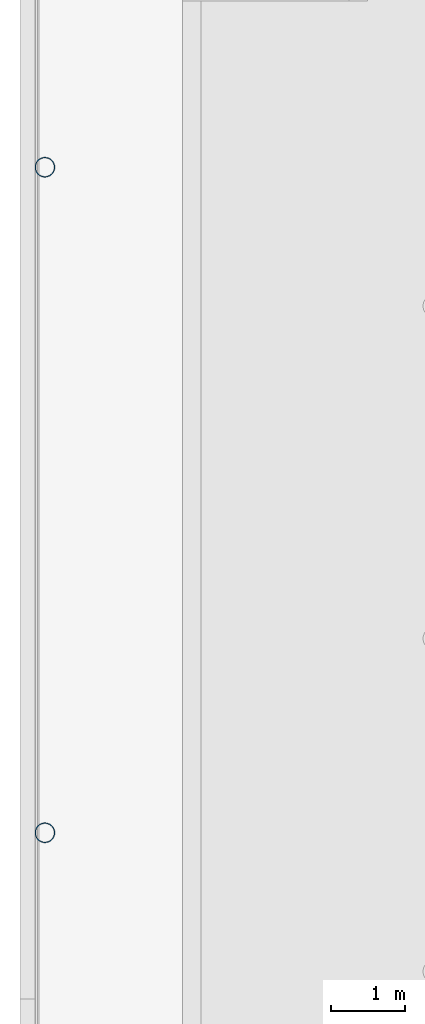
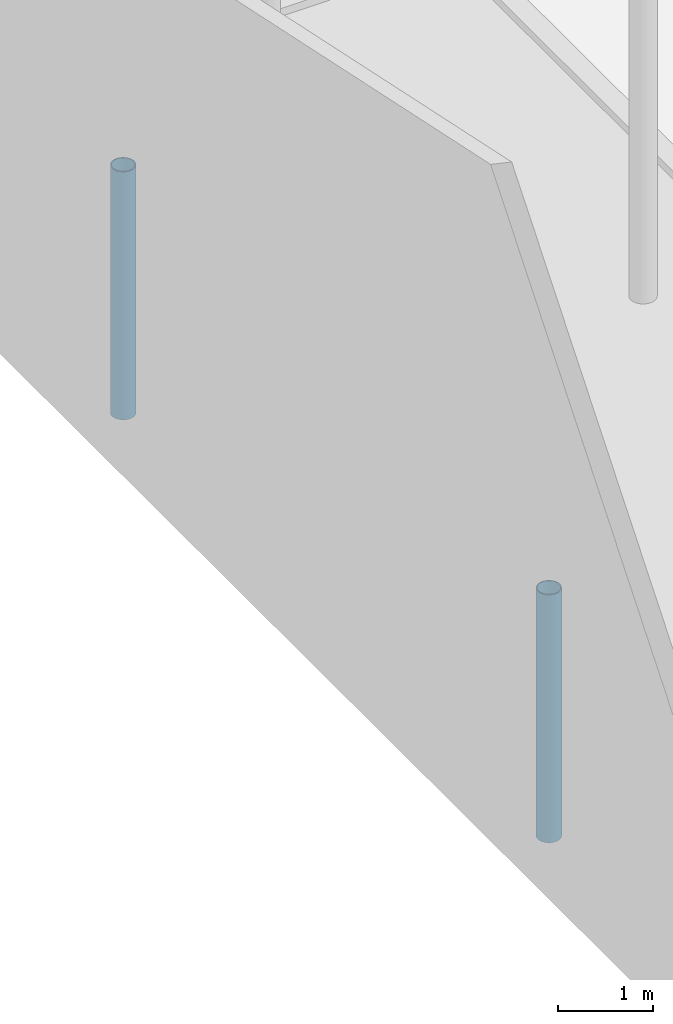
# One storey, part 2 of 9: 2 columns.
"""IFC4 building model written with IfcOpenShell, lengths in metres."""

from ifc_helpers import new_model, si_unit, direction, frame, origin, origin_2d, place, context, subcontext, project, spatial, hollow_circle, extrude, material, material_profile, profile_set, type_object, element, save


model = new_model("IFC4")

# Units and contexts
model_context = context("Model", 3, precision=1e-05, world=origin(), true_north=direction((0.0, 1.0)))
body_context = subcontext(model_context, "Body", "Model", "MODEL_VIEW")
ifc_project = project(units=[si_unit("LENGTHUNIT", "METRE"), si_unit("AREAUNIT", "SQUARE_METRE"), si_unit("VOLUMEUNIT", "CUBIC_METRE"), si_unit("PLANEANGLEUNIT", "RADIAN"), si_unit("MASSUNIT", "GRAM", prefix="KILO")], contexts=[model_context])

# Site, building, storey
site_placement = place(None, origin())
site = spatial("IfcSite", under=ifc_project, at=site_placement, CompositionType="ELEMENT")
building_placement = place(site_placement, origin())
building = spatial("IfcBuilding", under=site, at=building_placement, Name="Orbiselva Terraces", CompositionType="ELEMENT")
storey_placement = place(building_placement, frame((0.0, 0.0, 303.4)))
storey = spatial("IfcBuildingStorey", under=building, at=storey_placement, Name="L75", CompositionType="ELEMENT", Elevation=303.4)

# Columns
ifc_material = material(Name="Steel ASTM A500 Grade C", Category="steel")
ifc_material_profile = material_profile(ifc_material, hollow_circle(Radius=0.13655, WallThickness=0.0127, at=origin_2d()), Name="HSS273.1X12.7")
ifc_profile_set = profile_set([ifc_material_profile], Name="Steel ASTM A500 Grade C")
column_type = type_object("IfcColumnType", Name="CANOPY COLUMN HSS273.1X12.7", PredefinedType="COLUMN", material=ifc_profile_set)
for number, where, z_axis, x_axis, name in (
    (1, (-22.36345, 13.5, 0.0), (0.0, 0.0, 1.0), (1.0, 0.0, 0.0), "Canopy column L75-06"),
    (2, (-22.36345, 4.5, 0.0), (0.0, 0.0, 1.0), (1.0, 0.0, 0.0), "Canopy column L75-08"),
):
    element("IfcColumn", number, at=place(storey_placement, frame(where, z_axis=z_axis, x_axis=x_axis)), inside=storey, type_object=column_type, Name=name, PredefinedType="COLUMN", context=body_context, shape_type="SweptSolid", body=[
        extrude(hollow_circle(Radius=0.13655, WallThickness=0.0127, at=origin_2d()), origin(), (0.0, 0.0, 1.0), 3.2),
    ])

save(model, "model.ifc")
